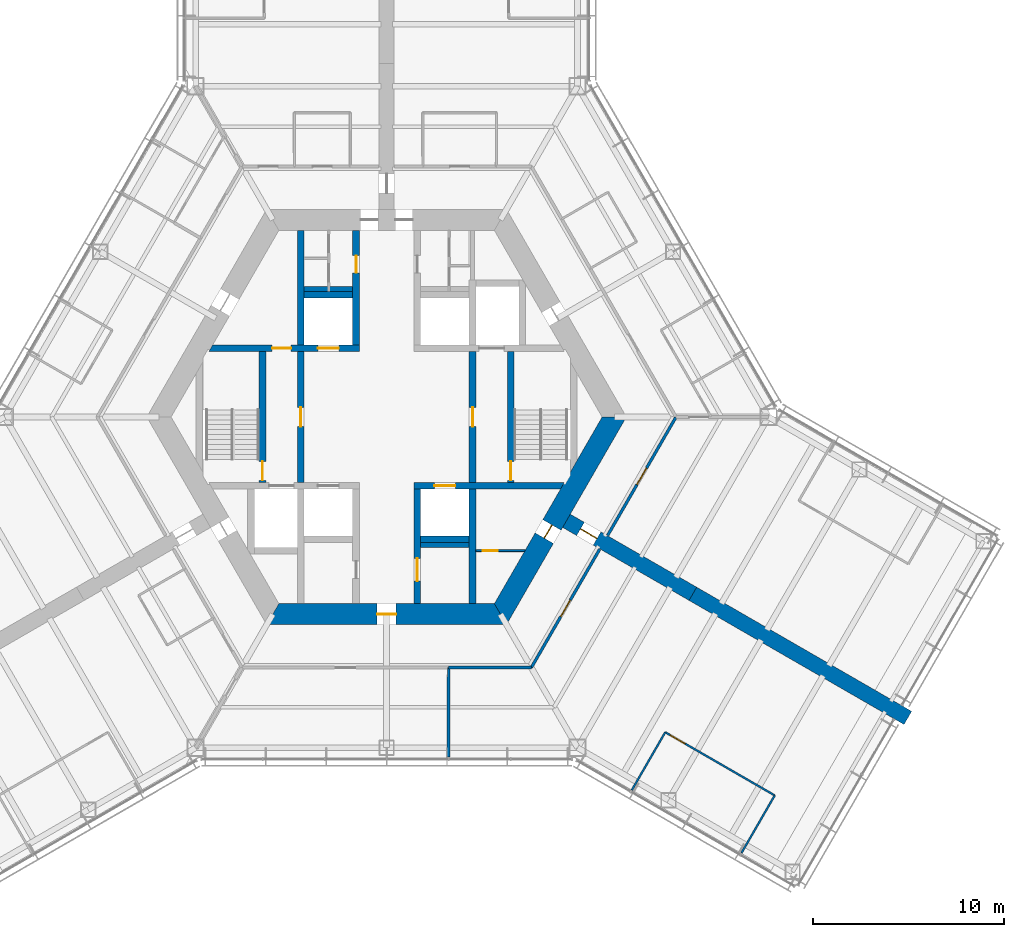
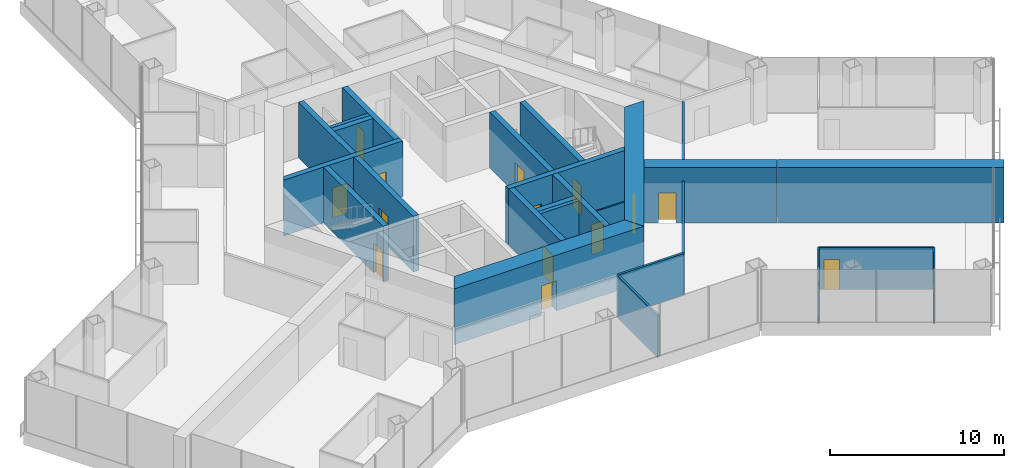
# One storey, part 13 of 18: 26 walls, 16 doors, 16 openings.
"""IFC4 building model written with IfcOpenShell, lengths in metres."""

from ifc_helpers import new_model, si_unit, direction, frame, frame_2d, origin, place, context, subcontext, project, spatial, polyline, rectangle, outline, extrude, material, layer, layer_set, type_object, element, fill, save


model = new_model("IFC4")

# Units and contexts
model_context = context("Model", 3, precision=1e-05, world=origin(), true_north=direction((0.0, 1.0)))
body_context = subcontext(model_context, "Body", "Model", "MODEL_VIEW")
ifc_project = project(units=[si_unit("LENGTHUNIT", "METRE"), si_unit("AREAUNIT", "SQUARE_METRE"), si_unit("VOLUMEUNIT", "CUBIC_METRE"), si_unit("PLANEANGLEUNIT", "RADIAN"), si_unit("MASSUNIT", "GRAM", prefix="KILO")], contexts=[model_context])

# Site, building, storey
site_placement = place(None, origin())
site = spatial("IfcSite", under=ifc_project, at=site_placement, CompositionType="ELEMENT")
building_placement = place(site_placement, origin())
building = spatial("IfcBuilding", under=site, at=building_placement, Name="Kasaneha Research Tower", CompositionType="ELEMENT")
storey_placement = place(building_placement, frame((0.0, 0.0, 65.10009765625)))
storey = spatial("IfcBuildingStorey", under=building, at=storey_placement, Name="L16", CompositionType="ELEMENT", Elevation=65.10009765625)

# Wall, openings, doors
ifc_material_1 = material(Name="Concrete Fc80", Category="concrete")
ifc_layer_1 = layer(ifc_material_1, 0.35009765625)
ifc_layer_set_1 = layer_set([ifc_layer_1], Name="Core internal wall 350 Fc80")
wall_type_1 = type_object("IfcWallType", Name="Core internal wall 350 Fc80", PredefinedType="SHEAR", material=ifc_layer_set_1)
wall_1_placement = place(storey_placement, frame((-9.208740234375, 3.60009765625, 0.0), z_axis=(0.0, 0.0, 1.0), x_axis=(1.0, 0.0, 0.0)))
wall_1 = element("IfcWall", 1, at=wall_1_placement, inside=storey, type_object=wall_type_1, Name="Core wall W1W L16", PredefinedType="SHEAR", context=body_context, shape_type="SweptSolid", body=[
    extrude(outline(polyline([(-0.10107421875, -0.175048828125), (3.208740234375, -0.175048828125), (4.208740234375, -0.175048828125), (5.608642578125, -0.175048828125), (6.708740234375, -0.175048828125), (7.78369140625, -0.175048828125), (7.78369140625, 0.175048828125), (6.708740234375, 0.175048828125), (5.608642578125, 0.175048828125), (4.208740234375, 0.175048828125), (3.208740234375, 0.175048828125), (0.10107421875, 0.175048828125), (-0.10107421875, -0.175048828125)])), origin(), (0.0, 0.0, 1.0), 3.89990234375),
])
opening_1_placement = place(wall_1_placement, frame((3.208740234375, 0.0, 0.0)))
opening_1 = element("IfcOpeningElement", 2, at=opening_1_placement, cuts=wall_1, Name="Opening L16-D12", PredefinedType="OPENING", context=body_context, shape_type="SweptSolid", body=[
    extrude(rectangle(XDim=1.0, YDim=2.10009765625, at=frame_2d((0.5, 1.050048828125))), frame((0.0, 0.18505859375, 0.0), z_axis=(0.0, -1.0, 0.0), x_axis=(1.0, 0.0, 0.0)), (0.0, 0.0, 1.0), 0.3701171875),
])
opening_2_placement = place(wall_1_placement, frame((5.608642578125, 0.0, 0.0)))
opening_2 = element("IfcOpeningElement", 3, at=opening_2_placement, cuts=wall_1, Name="Opening LD-LO1-L16", PredefinedType="OPENING", context=body_context, shape_type="SweptSolid", body=[
    extrude(rectangle(XDim=1.10009765625, YDim=2.10009765625, at=frame_2d((0.550048828125, 1.050048828125))), frame((0.0, 0.18505859375, 0.0), z_axis=(0.0, -1.0, 0.0), x_axis=(1.0, 0.0, 0.0)), (0.0, 0.0, 1.0), 0.3701171875),
])
ifc_material_2 = material(Name="Steel", Category="steel")
door_type_1 = type_object("IfcDoorType", Name="Lift landing door 1100x2100", OperationType="DOUBLE_DOOR_SLIDING", PredefinedType="DOOR", material=ifc_material_2)
door_1_placement = place(opening_2_placement, origin())
door_1 = element("IfcDoor", 4, at=door_1_placement, inside=storey, type_object=door_type_1, Name="Landing door LO1 LD-LO1-L16", OperationType="DOUBLE_DOOR_SLIDING", OverallHeight=2.10009765625, OverallWidth=1.10009765625, PredefinedType="DOOR", context=body_context, shape_type="SweptSolid", body=[
    extrude(rectangle(XDim=1.10009765625, YDim=2.10009765625, at=frame_2d((0.550048828125, 1.050048828125))), frame((0.0, 0.02490234375, 0.0), z_axis=(0.0, -1.0, 0.0), x_axis=(1.0, 0.0, 0.0)), (0.0, 0.0, 1.0), 0.050048828125),
])
fill(opening_2, door_1)
ifc_material_3 = material(Name="Steel", Category="steel")
door_type_2 = type_object("IfcDoorType", Name="Specified fire door FD60 1000x2100", OperationType="NOTDEFINED", PredefinedType="DOOR", material=ifc_material_3)
door_2_placement = place(opening_1_placement, origin())
door_2 = element("IfcDoor", 5, at=door_2_placement, inside=storey, type_object=door_type_2, Name="Vestibule to lobby door L16-D12", OperationType="SINGLE_SWING_RIGHT", OverallHeight=2.10009765625, OverallWidth=1.0, PredefinedType="DOOR", context=body_context, shape_type="SweptSolid", body=[
    extrude(rectangle(XDim=1.0, YDim=2.10009765625, at=frame_2d((0.5, 1.050048828125))), frame((0.0, 0.02490234375, 0.0), z_axis=(0.0, -1.0, 0.0), x_axis=(1.0, 0.0, 0.0)), (0.0, 0.0, 1.0), 0.050048828125),
])
fill(opening_1, door_2)

# Wall, opening, door
wall_2_placement = place(storey_placement, frame((1.425048828125, -3.60009765625, 0.0), z_axis=(0.0, 0.0, 1.0), x_axis=(1.0, 0.0, 0.0)))
wall_2 = element("IfcWall", 6, at=wall_2_placement, inside=storey, type_object=wall_type_1, Name="Core wall W2E L16", PredefinedType="SHEAR", context=body_context, shape_type="SweptSolid", body=[
    extrude(outline(polyline([(0.0, -0.175048828125), (1.074951171875, -0.175048828125), (2.175048828125, -0.175048828125), (7.6826171875, -0.175048828125), (7.884765625, 0.175048828125), (2.175048828125, 0.175048828125), (1.074951171875, 0.175048828125), (0.0, 0.175048828125), (0.0, -0.175048828125)])), origin(), (0.0, 0.0, 1.0), 3.89990234375),
])
opening_3_placement = place(wall_2_placement, frame((1.074951171875, 0.0, 0.0)))
opening_3 = element("IfcOpeningElement", 7, at=opening_3_placement, cuts=wall_2, Name="Opening LD-LO3-L16", PredefinedType="OPENING", context=body_context, shape_type="SweptSolid", body=[
    extrude(rectangle(XDim=1.10009765625, YDim=2.10009765625, at=frame_2d((0.550048828125, 1.050048828125))), frame((0.0, 0.18505859375, 0.0), z_axis=(0.0, -1.0, 0.0), x_axis=(1.0, 0.0, 0.0)), (0.0, 0.0, 1.0), 0.3701171875),
])
door_3_placement = place(opening_3_placement, origin())
door_3 = element("IfcDoor", 8, at=door_3_placement, inside=storey, type_object=door_type_1, Name="Landing door LO3 LD-LO3-L16", OperationType="DOUBLE_DOOR_SLIDING", OverallHeight=2.10009765625, OverallWidth=1.10009765625, PredefinedType="DOOR", context=body_context, shape_type="SweptSolid", body=[
    extrude(rectangle(XDim=1.10009765625, YDim=2.10009765625, at=frame_2d((0.550048828125, 1.050048828125))), frame((0.0, 0.02490234375, 0.0), z_axis=(0.0, -1.0, 0.0), x_axis=(1.0, 0.0, 0.0)), (0.0, 0.0, 1.0), 0.050048828125),
])
fill(opening_3, door_3)

wall_3_placement = place(storey_placement, frame((-1.60009765625, 3.77490234375, 0.0), z_axis=(0.0, 0.0, 1.0), x_axis=(0.0, 1.0, 0.0)))
wall_3 = element("IfcWall", 9, at=wall_3_placement, inside=storey, type_object=wall_type_1, Name="Core wall CNW L16", PredefinedType="SHEAR", context=body_context, shape_type="SweptSolid", body=[
    extrude(rectangle(XDim=6.0, YDim=0.35009765625, at=frame_2d((3.0, 0.0))), origin(), (0.0, 0.0, 1.0), 3.89990234375),
])
opening_4_placement = place(wall_3_placement, frame((3.77490234375, 0.0, 0.0)))
opening_4 = element("IfcOpeningElement", 10, at=opening_4_placement, cuts=wall_3, Name="Opening L16-D13", PredefinedType="OPENING", context=body_context, shape_type="SweptSolid", body=[
    extrude(rectangle(XDim=0.89990234375, YDim=2.10009765625, at=frame_2d((0.449951171875, 1.050048828125))), frame((0.0, 0.18505859375, 0.0), z_axis=(0.0, -1.0, 0.0), x_axis=(1.0, 0.0, 0.0)), (0.0, 0.0, 1.0), 0.3701171875),
])
ifc_material_4 = material(Name="Steel", Category="steel")
door_type_3 = type_object("IfcDoorType", Name="Toilet door FD20 900x2100", OperationType="NOTDEFINED", PredefinedType="DOOR", material=ifc_material_4)
door_4_placement = place(opening_4_placement, origin())
door_4 = element("IfcDoor", 11, at=door_4_placement, inside=storey, type_object=door_type_3, Name="Men's WC door L16-D13", OperationType="SINGLE_SWING_LEFT", OverallHeight=2.10009765625, OverallWidth=0.89990234375, PredefinedType="DOOR", context=body_context, shape_type="SweptSolid", body=[
    extrude(rectangle(XDim=0.89990234375, YDim=2.10009765625, at=frame_2d((0.449951171875, 1.050048828125))), frame((0.0, 0.02490234375, 0.0), z_axis=(0.0, -1.0, 0.0), x_axis=(1.0, 0.0, 0.0)), (0.0, 0.0, 1.0), 0.050048828125),
])
fill(opening_4, door_4)

wall_4_placement = place(storey_placement, frame((1.60009765625, -3.77490234375, 0.0), z_axis=(0.0, 0.0, 1.0), x_axis=(0.0, -1.0, 0.0)))
wall_4 = element("IfcWall", 12, at=wall_4_placement, inside=storey, type_object=wall_type_1, Name="Core wall CSE L16", PredefinedType="SHEAR", context=body_context, shape_type="SweptSolid", body=[
    extrude(rectangle(XDim=6.0, YDim=0.35009765625, at=frame_2d((3.0, 0.0))), origin(), (0.0, 0.0, 1.0), 3.89990234375),
])
opening_5_placement = place(wall_4_placement, frame((3.625, 0.0, 0.0)))
opening_5 = element("IfcOpeningElement", 13, at=opening_5_placement, cuts=wall_4, Name="Opening L16-D15", PredefinedType="OPENING", context=body_context, shape_type="SweptSolid", body=[
    extrude(rectangle(XDim=1.199951171875, YDim=2.10009765625, at=frame_2d((0.60009765625, 1.050048828125))), frame((0.0, 0.18505859375, 0.0), z_axis=(0.0, -1.0, 0.0), x_axis=(1.0, 0.0, 0.0)), (0.0, 0.0, 1.0), 0.3701171875),
])
ifc_material_5 = material(Name="Steel", Category="steel")
door_type_4 = type_object("IfcDoorType", Name="Accessible toilet sliding door FD20 1200x2100", OperationType="SLIDING_TO_LEFT", PredefinedType="DOOR", material=ifc_material_5)
door_5_placement = place(opening_5_placement, origin())
door_5 = element("IfcDoor", 14, at=door_5_placement, inside=storey, type_object=door_type_4, Name="Accessible WC door L16-D15", OperationType="SLIDING_TO_LEFT", OverallHeight=2.10009765625, OverallWidth=1.199951171875, PredefinedType="DOOR", context=body_context, shape_type="SweptSolid", body=[
    extrude(rectangle(XDim=1.199951171875, YDim=2.10009765625, at=frame_2d((0.60009765625, 1.050048828125))), frame((0.0, 0.02490234375, 0.0), z_axis=(0.0, -1.0, 0.0), x_axis=(1.0, 0.0, 0.0)), (0.0, 0.0, 1.0), 0.050048828125),
])
fill(opening_5, door_5)

wall_5_placement = place(storey_placement, frame((-4.5, -3.425048828125, 0.0), z_axis=(0.0, 0.0, 1.0), x_axis=(0.0, 1.0, 0.0)))
wall_5 = element("IfcWall", 15, at=wall_5_placement, inside=storey, type_object=wall_type_1, Name="Core wall LBW L16", PredefinedType="SHEAR", context=body_context, shape_type="SweptSolid", body=[
    extrude(rectangle(XDim=6.85009765625, YDim=0.35009765625, at=frame_2d((3.425048828125, 0.0))), origin(), (0.0, 0.0, 1.0), 3.89990234375),
])
opening_6_placement = place(wall_5_placement, frame((2.925048828125, 0.0, 0.0)))
opening_6 = element("IfcOpeningElement", 16, at=opening_6_placement, cuts=wall_5, Name="Opening L16-D09", PredefinedType="OPENING", context=body_context, shape_type="SweptSolid", body=[
    extrude(rectangle(XDim=1.0, YDim=2.10009765625, at=frame_2d((0.5, 1.050048828125))), frame((0.0, 0.18505859375, 0.0), z_axis=(0.0, -1.0, 0.0), x_axis=(1.0, 0.0, 0.0)), (0.0, 0.0, 1.0), 0.3701171875),
])
door_6_placement = place(opening_6_placement, origin())
door_6 = element("IfcDoor", 17, at=door_6_placement, inside=storey, type_object=door_type_2, Name="Lift lobby door west L16-D09", OperationType="SINGLE_SWING_LEFT", OverallHeight=2.10009765625, OverallWidth=1.0, PredefinedType="DOOR", context=body_context, shape_type="SweptSolid", body=[
    extrude(rectangle(XDim=1.0, YDim=2.10009765625, at=frame_2d((0.5, 1.050048828125))), frame((0.0, 0.02490234375, 0.0), z_axis=(0.0, -1.0, 0.0), x_axis=(1.0, 0.0, 0.0)), (0.0, 0.0, 1.0), 0.050048828125),
])
fill(opening_6, door_6)

wall_6_placement = place(storey_placement, frame((4.5, -3.425048828125, 0.0), z_axis=(0.0, 0.0, 1.0), x_axis=(0.0, 1.0, 0.0)))
wall_6 = element("IfcWall", 18, at=wall_6_placement, inside=storey, type_object=wall_type_1, Name="Core wall LBE L16", PredefinedType="SHEAR", context=body_context, shape_type="SweptSolid", body=[
    extrude(rectangle(XDim=6.85009765625, YDim=0.35009765625, at=frame_2d((3.425048828125, 0.0))), origin(), (0.0, 0.0, 1.0), 3.89990234375),
])
opening_7_placement = place(wall_6_placement, frame((2.925048828125, 0.0, 0.0)))
opening_7 = element("IfcOpeningElement", 19, at=opening_7_placement, cuts=wall_6, Name="Opening L16-D08", PredefinedType="OPENING", context=body_context, shape_type="SweptSolid", body=[
    extrude(rectangle(XDim=1.0, YDim=2.10009765625, at=frame_2d((0.5, 1.050048828125))), frame((0.0, 0.18505859375, 0.0), z_axis=(0.0, -1.0, 0.0), x_axis=(1.0, 0.0, 0.0)), (0.0, 0.0, 1.0), 0.3701171875),
])
door_7_placement = place(opening_7_placement, origin())
door_7 = element("IfcDoor", 20, at=door_7_placement, inside=storey, type_object=door_type_2, Name="Lift lobby door east L16-D08", OperationType="SINGLE_SWING_LEFT", OverallHeight=2.10009765625, OverallWidth=1.0, PredefinedType="DOOR", context=body_context, shape_type="SweptSolid", body=[
    extrude(rectangle(XDim=1.0, YDim=2.10009765625, at=frame_2d((0.5, 1.050048828125))), frame((0.0, 0.02490234375, 0.0), z_axis=(0.0, -1.0, 0.0), x_axis=(1.0, 0.0, 0.0)), (0.0, 0.0, 1.0), 0.050048828125),
])
fill(opening_7, door_7)

wall_7_placement = place(storey_placement, frame((-6.5, -3.425048828125, 0.0), z_axis=(0.0, 0.0, 1.0), x_axis=(0.0, 1.0, 0.0)))
wall_7 = element("IfcWall", 21, at=wall_7_placement, inside=storey, type_object=wall_type_1, Name="Core wall ANW L16", PredefinedType="SHEAR", context=body_context, shape_type="SweptSolid", body=[
    extrude(rectangle(XDim=6.85009765625, YDim=0.35009765625, at=frame_2d((3.425048828125, 0.0))), origin(), (0.0, 0.0, 1.0), 3.89990234375),
])
opening_8_placement = place(wall_7_placement, frame((0.10009765625, 0.0, 0.0)))
opening_8 = element("IfcOpeningElement", 22, at=opening_8_placement, cuts=wall_7, Name="Opening L16-D11", PredefinedType="OPENING", context=body_context, shape_type="SweptSolid", body=[
    extrude(rectangle(XDim=1.0, YDim=2.10009765625, at=frame_2d((0.5, 1.050048828125))), frame((0.0, 0.18505859375, 0.0), z_axis=(0.0, -1.0, 0.0), x_axis=(1.0, 0.0, 0.0)), (0.0, 0.0, 1.0), 0.3701171875),
])
door_8_placement = place(opening_8_placement, origin())
door_8 = element("IfcDoor", 23, at=door_8_placement, inside=storey, type_object=door_type_2, Name="Stair 2 door L16-D11", OperationType="SINGLE_SWING_LEFT", OverallHeight=2.10009765625, OverallWidth=1.0, PredefinedType="DOOR", context=body_context, shape_type="SweptSolid", body=[
    extrude(rectangle(XDim=1.0, YDim=2.10009765625, at=frame_2d((0.5, 1.050048828125))), frame((0.0, 0.02490234375, 0.0), z_axis=(0.0, -1.0, 0.0), x_axis=(1.0, 0.0, 0.0)), (0.0, 0.0, 1.0), 0.050048828125),
])
fill(opening_8, door_8)

wall_8_placement = place(storey_placement, frame((6.5, -3.425048828125, 0.0), z_axis=(0.0, 0.0, 1.0), x_axis=(0.0, 1.0, 0.0)))
wall_8 = element("IfcWall", 24, at=wall_8_placement, inside=storey, type_object=wall_type_1, Name="Core wall ANE L16", PredefinedType="SHEAR", context=body_context, shape_type="SweptSolid", body=[
    extrude(rectangle(XDim=6.85009765625, YDim=0.35009765625, at=frame_2d((3.425048828125, 0.0))), origin(), (0.0, 0.0, 1.0), 3.89990234375),
])
opening_9_placement = place(wall_8_placement, frame((0.10009765625, 0.0, 0.0)))
opening_9 = element("IfcOpeningElement", 25, at=opening_9_placement, cuts=wall_8, Name="Opening L16-D10", PredefinedType="OPENING", context=body_context, shape_type="SweptSolid", body=[
    extrude(rectangle(XDim=1.0, YDim=2.10009765625, at=frame_2d((0.5, 1.050048828125))), frame((0.0, 0.18505859375, 0.0), z_axis=(0.0, -1.0, 0.0), x_axis=(1.0, 0.0, 0.0)), (0.0, 0.0, 1.0), 0.3701171875),
])
door_9_placement = place(opening_9_placement, origin())
door_9 = element("IfcDoor", 26, at=door_9_placement, inside=storey, type_object=door_type_2, Name="Stair 1 door L16-D10", OperationType="SINGLE_SWING_LEFT", OverallHeight=2.10009765625, OverallWidth=1.0, PredefinedType="DOOR", context=body_context, shape_type="SweptSolid", body=[
    extrude(rectangle(XDim=1.0, YDim=2.10009765625, at=frame_2d((0.5, 1.050048828125))), frame((0.0, 0.02490234375, 0.0), z_axis=(0.0, -1.0, 0.0), x_axis=(1.0, 0.0, 0.0)), (0.0, 0.0, 1.0), 0.050048828125),
])
fill(opening_9, door_9)

# Walls
for number, where, z_axis, x_axis, name in (
    (27, (-4.5, 3.77490234375, 0.0), (0.0, 0.0, 1.0), (0.0, 1.0, 0.0), "Core wall VNW L16"),
    (28, (4.5, -3.77490234375, 0.0), (0.0, 0.0, 1.0), (0.0, -1.0, 0.0), "Core wall SSE L16"),
):
    element("IfcWall", number, at=place(storey_placement, frame(where, z_axis=z_axis, x_axis=x_axis)), inside=storey, type_object=wall_type_1, Name=name, PredefinedType="SHEAR", context=body_context, shape_type="SweptSolid", body=[
        extrude(rectangle(XDim=6.0, YDim=0.35009765625, at=frame_2d((3.0, 0.0))), origin(), (0.0, 0.0, 1.0), 3.89990234375),
    ])
for number, where, z_axis, x_axis, name in (
    (29, (-4.324951171875, 6.39990234375, 0.0), (0.0, 0.0, 1.0), (1.0, 0.0, 0.0), "Core wall N1N L16"),
    (30, (1.77490234375, -6.39990234375, 0.0), (0.0, 0.0, 1.0), (1.0, 0.0, 0.0), "Core wall S3S L16"),
):
    element("IfcWall", number, at=place(storey_placement, frame(where, z_axis=z_axis, x_axis=x_axis)), inside=storey, type_object=wall_type_1, Name=name, PredefinedType="SHEAR", context=body_context, shape_type="SweptSolid", body=[
        extrude(rectangle(XDim=2.550048828125, YDim=0.35009765625, at=frame_2d((1.27490234375, 0.0))), origin(), (0.0, 0.0, 1.0), 3.89990234375),
    ])

# Wall, opening, door
ifc_material_6 = material(Name="Concrete Fc80", Category="concrete")
ifc_layer_2 = layer(ifc_material_6, 1.10009765625)
ifc_layer_set_2 = layer_set([ifc_layer_2], Name="Core wall 1100 Fc80")
wall_type_2 = type_object("IfcWallType", Name="Core wall 1100 Fc80", PredefinedType="SHEAR", material=ifc_layer_set_2)
wall_9_placement = place(storey_placement, frame((-5.961181640625, -10.324951171875, 0.0), z_axis=(0.0, 0.0, 1.0), x_axis=(1.0, 0.0, 0.0)))
wall_9 = element("IfcWall", 31, at=wall_9_placement, inside=storey, type_object=wall_type_2, Name="Core wall 270 L16", PredefinedType="SHEAR", context=body_context, shape_type="SweptSolid", body=[
    extrude(outline(polyline([(-0.317626953125, -0.550048828125), (5.461181640625, -0.550048828125), (6.461181640625, -0.550048828125), (12.239990234375, -0.550048828125), (11.604736328125, 0.550048828125), (6.461181640625, 0.550048828125), (5.461181640625, 0.550048828125), (0.317626953125, 0.550048828125), (-0.317626953125, -0.550048828125)])), origin(), (0.0, 0.0, 1.0), 3.89990234375),
])
opening_10_placement = place(wall_9_placement, frame((5.461181640625, 0.0, 0.0)))
opening_10 = element("IfcOpeningElement", 32, at=opening_10_placement, cuts=wall_9, Name="Opening L16-D03", PredefinedType="OPENING", context=body_context, shape_type="SweptSolid", body=[
    extrude(rectangle(XDim=1.0, YDim=2.10009765625, at=frame_2d((0.5, 1.050048828125))), frame((0.0, 0.56005859375, 0.0), z_axis=(0.0, -1.0, 0.0), x_axis=(1.0, 0.0, 0.0)), (0.0, 0.0, 1.0), 1.1201171875),
])
ifc_material_7 = material(Name="Steel", Category="steel")
door_type_5 = type_object("IfcDoorType", Name="Fire door FD20 1000x2100", OperationType="NOTDEFINED", PredefinedType="DOOR", material=ifc_material_7)
door_10_placement = place(opening_10_placement, origin())
door_10 = element("IfcDoor", 33, at=door_10_placement, inside=storey, type_object=door_type_5, Name="Core door south L16-D03", OperationType="SINGLE_SWING_LEFT", OverallHeight=2.10009765625, OverallWidth=1.0, PredefinedType="DOOR", context=body_context, shape_type="SweptSolid", body=[
    extrude(rectangle(XDim=1.0, YDim=2.10009765625, at=frame_2d((0.5, 1.050048828125))), frame((0.0, 0.02490234375, 0.0), z_axis=(0.0, -1.0, 0.0), x_axis=(1.0, 0.0, 0.0)), (0.0, 0.0, 1.0), 0.050048828125),
])
fill(opening_10, door_10)

wall_10_placement = place(storey_placement, frame((5.961181640625, -10.324951171875, 0.0), z_axis=(0.0, 0.0, 1.0), x_axis=(0.500004296715, 0.866022923061, 0.0)))
wall_10 = element("IfcWall", 34, at=wall_10_placement, inside=storey, type_object=wall_type_2, Name="Core wall 330 L16", PredefinedType="SHEAR", context=body_context, shape_type="SweptSolid", body=[
    extrude(outline(polyline([(-0.317626953125, -0.550048828125), (4.593994140625, -0.550048828125), (5.39404296875, -0.550048828125), (12.239990234375, -0.550048828125), (11.604736328125, 0.550048828125), (5.39404296875, 0.550048828125), (4.593994140625, 0.550048828125), (0.317626953125, 0.550048828125), (-0.317626953125, -0.550048828125)])), origin(), (0.0, 0.0, 1.0), 3.89990234375),
])
opening_11_placement = place(wall_10_placement, frame((4.593994140625, 0.0, 0.0)))
opening_11 = element("IfcOpeningElement", 35, at=opening_11_placement, cuts=wall_10, Name="Opening L16-D05", PredefinedType="OPENING", context=body_context, shape_type="SweptSolid", body=[
    extrude(rectangle(XDim=0.800048828125, YDim=2.10009765625, at=frame_2d((0.39990234375, 1.050048828125))), frame((0.0, 0.56005859375, 0.0), z_axis=(0.0, -1.0, 0.0), x_axis=(1.0, 0.0, 0.0)), (0.0, 0.0, 1.0), 1.1201171875),
])
ifc_material_8 = material(Name="Steel", Category="steel")
door_type_6 = type_object("IfcDoorType", Name="Riser access door FD60 800x2100", OperationType="NOTDEFINED", PredefinedType="DOOR", material=ifc_material_8)
door_11_placement = place(opening_11_placement, origin())
door_11 = element("IfcDoor", 36, at=door_11_placement, inside=storey, type_object=door_type_6, Name="Pipe riser door L16-D05", OperationType="SINGLE_SWING_LEFT", OverallHeight=2.10009765625, OverallWidth=0.800048828125, PredefinedType="DOOR", context=body_context, shape_type="SweptSolid", body=[
    extrude(rectangle(XDim=0.800048828125, YDim=2.10009765625, at=frame_2d((0.39990234375, 1.050048828125))), frame((0.0, 0.02490234375, 0.0), z_axis=(0.0, -1.0, 0.0), x_axis=(1.0, 0.0, 0.0)), (0.0, 0.0, 1.0), 0.050048828125),
])
fill(opening_11, door_11)

ifc_material_9 = material(Name="Gypsum board on steel studs, one layer each side", Category="steel")
ifc_layer_3 = layer(ifc_material_9, 0.10009765625)
ifc_layer_set_3 = layer_set([ifc_layer_3], Name="Office partition 100")
wall_type_3 = type_object("IfcWallType", Name="Office partition 100", PredefinedType="PARTITIONING", material=ifc_layer_set_3)
wall_11_placement = place(storey_placement, frame((4.675048828125, -7.0, 0.0), z_axis=(0.0, 0.0, 1.0), x_axis=(1.0, 0.0, 0.0)))
wall_11 = element("IfcWall", 37, at=wall_11_placement, inside=storey, type_object=wall_type_3, Name="Office partition RS-SE L16", PredefinedType="PARTITIONING", context=body_context, shape_type="SweptSolid", body=[
    extrude(outline(polyline([(0.0, -0.050048828125), (0.35009765625, -0.050048828125), (1.150146484375, -0.050048828125), (2.5419921875, -0.050048828125), (2.57080078125, 0.0), (2.57666015625, 0.050048828125), (1.150146484375, 0.050048828125), (0.35009765625, 0.050048828125), (0.0, 0.050048828125), (0.0, -0.050048828125)])), origin(), (0.0, 0.0, 1.0), 2.949951171875),
])
opening_12_placement = place(wall_11_placement, frame((0.35009765625, 0.0, 0.0)))
opening_12 = element("IfcOpeningElement", 38, at=opening_12_placement, cuts=wall_11, Name="Opening L16-D24", PredefinedType="OPENING", context=body_context, shape_type="SweptSolid", body=[
    extrude(rectangle(XDim=0.800048828125, YDim=2.10009765625, at=frame_2d((0.39990234375, 1.050048828125))), frame((0.0, 0.06005859375, 0.0), z_axis=(0.0, -1.0, 0.0), x_axis=(1.0, 0.0, 0.0)), (0.0, 0.0, 1.0), 0.1201171875),
])
door_12_placement = place(opening_12_placement, origin())
door_12 = element("IfcDoor", 39, at=door_12_placement, inside=storey, type_object=door_type_6, Name="Drainage riser door L16-D24", OperationType="SINGLE_SWING_LEFT", OverallHeight=2.10009765625, OverallWidth=0.800048828125, PredefinedType="DOOR", context=body_context, shape_type="SweptSolid", body=[
    extrude(rectangle(XDim=0.800048828125, YDim=2.10009765625, at=frame_2d((0.39990234375, 1.050048828125))), frame((0.0, 0.02490234375, 0.0), z_axis=(0.0, -1.0, 0.0), x_axis=(1.0, 0.0, 0.0)), (0.0, 0.0, 1.0), 0.050048828125),
])
fill(opening_12, door_12)

# Wall
wall_12_placement = place(storey_placement, frame((12.84228515625, -19.538818359375, 0.0), z_axis=(0.0, 0.0, 1.0), x_axis=(0.500010275428, 0.866019471182, 0.0)))
element("IfcWall", 40, at=wall_12_placement, inside=storey, type_object=wall_type_3, Name="Office partition FCS04 L16", PredefinedType="PARTITIONING", context=body_context, shape_type="SweptSolid", body=[
    extrude(rectangle(XDim=3.5, YDim=0.10009765625, at=frame_2d((1.75, 0.0))), origin(), (0.0, 0.0, 1.0), 2.949951171875),
])

# Wall, opening, door
wall_13_placement = place(storey_placement, frame((14.59228515625, -16.5078125, 0.0), z_axis=(0.0, 0.0, 1.0), x_axis=(0.866037567856, -0.499978930619, 0.0)))
wall_13 = element("IfcWall", 41, at=wall_13_placement, inside=storey, type_object=wall_type_3, Name="Office partition FCS05 L16", PredefinedType="PARTITIONING", context=body_context, shape_type="SweptSolid", body=[
    extrude(rectangle(XDim=6.619384765625, YDim=0.10009765625, at=frame_2d((3.3095703125, 0.0))), origin(), (0.0, 0.0, 1.0), 2.949951171875),
])
opening_13_placement = place(wall_13_placement, frame((0.300048828125, 0.0, 0.0)))
opening_13 = element("IfcOpeningElement", 42, at=opening_13_placement, cuts=wall_13, Name="Opening L16-D52", PredefinedType="OPENING", context=body_context, shape_type="SweptSolid", body=[
    extrude(rectangle(XDim=0.89990234375, YDim=2.10009765625, at=frame_2d((0.449951171875, 1.050048828125))), frame((0.0, 0.06005859375, 0.0), z_axis=(0.0, -1.0, 0.0), x_axis=(1.0, 0.0, 0.0)), (0.0, 0.0, 1.0), 0.1201171875),
])
ifc_material_10 = material(Name="Timber veneer", Category="wood")
door_type_7 = type_object("IfcDoorType", Name="Office door 900x2100", OperationType="SINGLE_SWING_LEFT", PredefinedType="DOOR", material=ifc_material_10)
door_13_placement = place(opening_13_placement, origin())
door_13 = element("IfcDoor", 43, at=door_13_placement, inside=storey, type_object=door_type_7, Name="Meeting room door L16-D52", OperationType="SINGLE_SWING_LEFT", OverallHeight=2.10009765625, OverallWidth=0.89990234375, PredefinedType="DOOR", context=body_context, shape_type="SweptSolid", body=[
    extrude(rectangle(XDim=0.89990234375, YDim=2.10009765625, at=frame_2d((0.449951171875, 1.050048828125))), frame((0.0, 0.02490234375, 0.0), z_axis=(0.0, -1.0, 0.0), x_axis=(1.0, 0.0, 0.0)), (0.0, 0.0, 1.0), 0.050048828125),
])
fill(opening_13, door_13)

# Wall
wall_14_placement = place(storey_placement, frame((20.324951171875, -19.8173828125, 0.0), z_axis=(0.0, 0.0, 1.0), x_axis=(-0.499979528911, -0.866037222451, 0.0)))
element("IfcWall", 44, at=wall_14_placement, inside=storey, type_object=wall_type_3, Name="Office partition FCS06 L16", PredefinedType="PARTITIONING", context=body_context, shape_type="SweptSolid", body=[
    extrude(rectangle(XDim=3.480224609375, YDim=0.10009765625, at=frame_2d((1.740234375, 0.0))), origin(), (0.0, 0.0, 1.0), 2.949951171875),
])

# Wall, opening, door
ifc_material_11 = material(Name="Concrete Fc80", Category="concrete")
ifc_layer_4 = layer(ifc_material_11, 0.800048828125)
ifc_layer_set_4 = layer_set([ifc_layer_4], Name="Spine wall 800 Fc80")
wall_type_4 = type_object("IfcWallType", Name="Spine wall 800 Fc80", PredefinedType="SHEAR", material=ifc_layer_set_4)
wall_15_placement = place(storey_placement, frame((9.41796875, -5.4375, 0.0), z_axis=(0.0, 0.0, 1.0), x_axis=(0.866029782078, -0.499992416496, 0.0)))
wall_15 = element("IfcWall", 45, at=wall_15_placement, inside=storey, type_object=wall_type_4, Name="Spine wall C L16", PredefinedType="SHEAR", context=body_context, shape_type="SweptSolid", body=[
    extrude(rectangle(XDim=7.6455078125, YDim=0.800048828125, at=frame_2d((3.82275390625, 0.0))), origin(), (0.0, 0.0, 1.0), 3.89990234375),
])
opening_14_placement = place(wall_15_placement, frame((0.85009765625, 0.0, 0.0)))
opening_14 = element("IfcOpeningElement", 46, at=opening_14_placement, cuts=wall_15, Name="Opening L16-D19", PredefinedType="OPENING", context=body_context, shape_type="SweptSolid", body=[
    extrude(rectangle(XDim=1.0, YDim=2.10009765625, at=frame_2d((0.5, 1.050048828125))), frame((0.0, 0.41015625, 0.0), z_axis=(0.0, -1.0, 0.0), x_axis=(1.0, 0.0, 0.0)), (0.0, 0.0, 1.0), 0.820068359375),
])
door_14_placement = place(opening_14_placement, origin())
door_14 = element("IfcDoor", 47, at=door_14_placement, inside=storey, type_object=door_type_2, Name="Spine doorway C L16-D19", OperationType="SINGLE_SWING_LEFT", OverallHeight=2.10009765625, OverallWidth=1.0, PredefinedType="DOOR", context=body_context, shape_type="SweptSolid", body=[
    extrude(rectangle(XDim=1.0, YDim=2.10009765625, at=frame_2d((0.5, 1.050048828125))), frame((0.0, 0.02490234375, 0.0), z_axis=(0.0, -1.0, 0.0), x_axis=(1.0, 0.0, 0.0)), (0.0, 0.0, 1.0), 0.050048828125),
])
fill(opening_14, door_14)

# Wall
wall_16_placement = place(storey_placement, frame((16.039306640625, -9.26025390625, 0.0), z_axis=(0.0, 0.0, 1.0), x_axis=(0.866024837091, -0.50000098154, 0.0)))
element("IfcWall", 48, at=wall_16_placement, inside=storey, type_object=wall_type_4, Name="Spine wall C wing L16", PredefinedType="SHEAR", context=body_context, shape_type="SweptSolid", body=[
    extrude(rectangle(XDim=13.0, YDim=0.800048828125, at=frame_2d((6.5, 0.0))), origin(), (0.0, 0.0, 1.0), 3.89990234375),
])

# Wall, opening, door
ifc_material_12 = material(Name="Gypsum board on steel studs, two layers each side", Category="steel")
ifc_layer_5 = layer(ifc_material_12, 0.14990234375)
ifc_layer_set_5 = layer_set([ifc_layer_5], Name="Suite partition 150")
wall_type_5 = type_object("IfcWallType", Name="Suite partition 150", PredefinedType="PARTITIONING", material=ifc_layer_set_5)
wall_17_placement = place(storey_placement, frame((15.143798828125, -0.02001953125, 0.0), z_axis=(0.0, 0.0, 1.0), x_axis=(-0.499985098601, -0.86603400694, 0.0)))
wall_17 = element("IfcWall", 49, at=wall_17_placement, inside=storey, type_object=wall_type_5, Name="Suite partition FCE01 L16", PredefinedType="PARTITIONING", context=body_context, shape_type="SweptSolid", body=[
    extrude(rectangle(XDim=7.134521484375, YDim=0.14990234375, at=frame_2d((3.5673828125, 0.0))), origin(), (0.0, 0.0, 1.0), 2.949951171875),
])
opening_15_placement = place(wall_17_placement, frame((3.0673828125, 0.0, 0.0)))
opening_15 = element("IfcOpeningElement", 50, at=opening_15_placement, cuts=wall_17, Name="Opening L16-D48", PredefinedType="OPENING", context=body_context, shape_type="SweptSolid", body=[
    extrude(rectangle(XDim=1.0, YDim=2.10009765625, at=frame_2d((0.5, 1.050048828125))), frame((0.0, 0.0849609375, 0.0), z_axis=(0.0, -1.0, 0.0), x_axis=(1.0, 0.0, 0.0)), (0.0, 0.0, 1.0), 0.169921875),
])
ifc_material_13 = material(Name="Steel", Category="steel")
door_type_8 = type_object("IfcDoorType", Name="Suite entrance door FD60 1000x2100", OperationType="NOTDEFINED", PredefinedType="DOOR", material=ifc_material_13)
door_15_placement = place(opening_15_placement, origin())
door_15 = element("IfcDoor", 51, at=door_15_placement, inside=storey, type_object=door_type_8, Name="Suite entrance door L16-D48", OperationType="SINGLE_SWING_LEFT", OverallHeight=2.10009765625, OverallWidth=1.0, PredefinedType="DOOR", context=body_context, shape_type="SweptSolid", body=[
    extrude(rectangle(XDim=1.0, YDim=2.10009765625, at=frame_2d((0.5, 1.050048828125))), frame((0.0, 0.02490234375, 0.0), z_axis=(0.0, -1.0, 0.0), x_axis=(1.0, 0.0, 0.0)), (0.0, 0.0, 1.0), 0.050048828125),
])
fill(opening_15, door_15)

# Wall
wall_18_placement = place(storey_placement, frame((7.57763671875, -13.125, 0.0), z_axis=(0.0, 0.0, 1.0), x_axis=(-1.0, 0.0, 0.0)))
element("IfcWall", 52, at=wall_18_placement, inside=storey, type_object=wall_type_5, Name="Suite partition FCS01 L16", PredefinedType="PARTITIONING", context=body_context, shape_type="SweptSolid", body=[
    extrude(rectangle(XDim=4.336181640625, YDim=0.14990234375, at=frame_2d((2.16796875, 0.0))), origin(), (0.0, 0.0, 1.0), 2.949951171875),
])

# Wall, opening, door
wall_19_placement = place(storey_placement, frame((11.156494140625, -6.92626953125, 0.0), z_axis=(0.0, 0.0, 1.0), x_axis=(-0.500001961223, -0.866024271469, 0.0)))
wall_19 = element("IfcWall", 53, at=wall_19_placement, inside=storey, type_object=wall_type_5, Name="Suite partition FCS02 L16", PredefinedType="PARTITIONING", context=body_context, shape_type="SweptSolid", body=[
    extrude(rectangle(XDim=7.15771484375, YDim=0.14990234375, at=frame_2d((3.578857421875, 0.0))), origin(), (0.0, 0.0, 1.0), 2.949951171875),
])
opening_16_placement = place(wall_19_placement, frame((3.078857421875, 0.0, 0.0)))
opening_16 = element("IfcOpeningElement", 54, at=opening_16_placement, cuts=wall_19, Name="Opening L16-D50", PredefinedType="OPENING", context=body_context, shape_type="SweptSolid", body=[
    extrude(rectangle(XDim=1.0, YDim=2.10009765625, at=frame_2d((0.5, 1.050048828125))), frame((0.0, 0.0849609375, 0.0), z_axis=(0.0, -1.0, 0.0), x_axis=(1.0, 0.0, 0.0)), (0.0, 0.0, 1.0), 0.169921875),
])
door_16_placement = place(opening_16_placement, origin())
door_16 = element("IfcDoor", 55, at=door_16_placement, inside=storey, type_object=door_type_8, Name="Suite entrance door L16-D50", OperationType="SINGLE_SWING_RIGHT", OverallHeight=2.10009765625, OverallWidth=1.0, PredefinedType="DOOR", context=body_context, shape_type="SweptSolid", body=[
    extrude(rectangle(XDim=1.0, YDim=2.10009765625, at=frame_2d((0.5, 1.050048828125))), frame((0.0, 0.02490234375, 0.0), z_axis=(0.0, -1.0, 0.0), x_axis=(1.0, 0.0, 0.0)), (0.0, 0.0, 1.0), 0.050048828125),
])
fill(opening_16, door_16)

# Walls
wall_20_placement = place(storey_placement, frame((3.246337890625, -17.800537109375, 0.0), z_axis=(0.0, 0.0, 1.0), x_axis=(0.001096662352, 0.999999398666, 0.0)))
element("IfcWall", 56, at=wall_20_placement, inside=storey, type_object=wall_type_5, Name="Suite partition FCS07 L16", PredefinedType="PARTITIONING", context=body_context, shape_type="SweptSolid", body=[
    extrude(rectangle(XDim=4.675048828125, YDim=0.14990234375, at=frame_2d((2.33740234375, 0.0))), origin(), (0.0, 0.0, 1.0), 2.949951171875),
])
ifc_material_14 = material(Name="Concrete block lining", Category="concrete")
ifc_layer_6 = layer(ifc_material_14, 0.25)
ifc_layer_set_6 = layer_set([ifc_layer_6], Name="WC plumbing wall 250")
wall_type_6 = type_object("IfcWallType", Name="WC plumbing wall 250", PredefinedType="PLUMBINGWALL", material=ifc_layer_set_6)
for number, where, z_axis, x_axis, name in (
    (57, (-4.324951171875, 6.699951171875, 0.0), (0.0, 0.0, 1.0), (1.0, 0.0, 0.0), "WC plumbing wall M L16"),
    (58, (1.77490234375, -6.699951171875, 0.0), (0.0, 0.0, 1.0), (1.0, 0.0, 0.0), "WC plumbing wall A L16"),
):
    element("IfcWall", number, at=place(storey_placement, frame(where, z_axis=z_axis, x_axis=x_axis)), inside=storey, type_object=wall_type_6, Name=name, PredefinedType="PLUMBINGWALL", context=body_context, shape_type="SweptSolid", body=[
        extrude(rectangle(XDim=2.550048828125, YDim=0.25, at=frame_2d((1.27490234375, 0.0))), origin(), (0.0, 0.0, 1.0), 3.89990234375),
    ])

save(model, "model.ifc")
